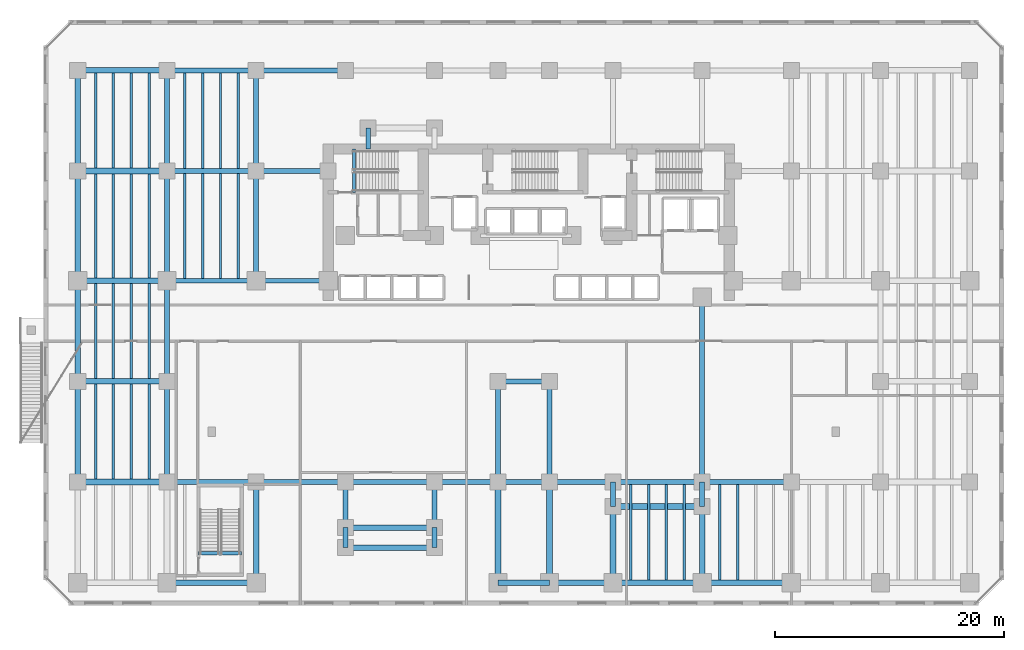
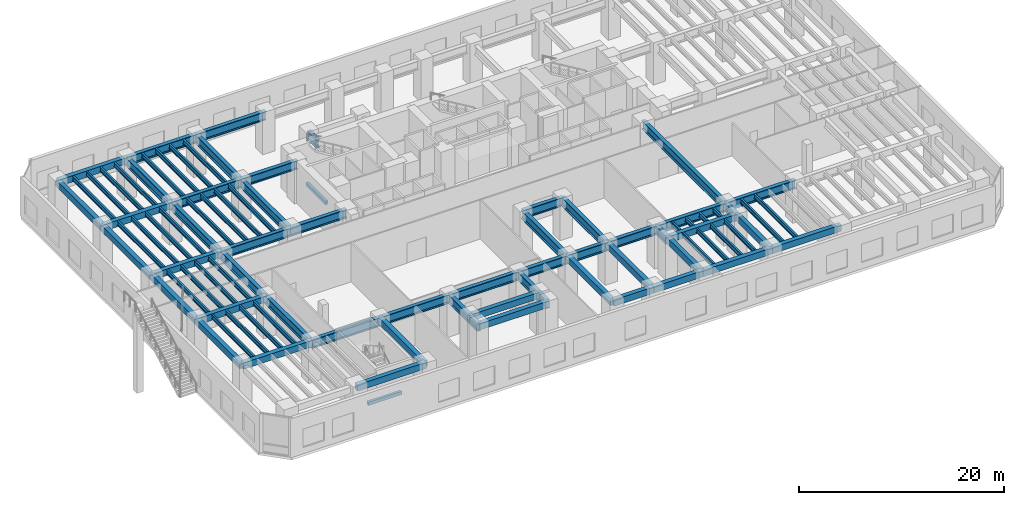
# One storey, part 3 of 19: 85 beams.
"""IFC4 building model written with IfcOpenShell, lengths in metres."""

from ifc_helpers import new_model, si_unit, direction, frame, origin, origin_2d, place, context, subcontext, project, spatial, rectangle, i_section, extrude, material, material_profile, profile_set, type_object, element, save


model = new_model("IFC4")

# Units and contexts
model_context = context("Model", 3, precision=1e-05, world=origin(), true_north=direction((0.0, 1.0)))
body_context = subcontext(model_context, "Body", "Model", "MODEL_VIEW")
ifc_project = project(units=[si_unit("LENGTHUNIT", "METRE"), si_unit("AREAUNIT", "SQUARE_METRE"), si_unit("VOLUMEUNIT", "CUBIC_METRE"), si_unit("PLANEANGLEUNIT", "RADIAN"), si_unit("MASSUNIT", "GRAM", prefix="KILO")], contexts=[model_context])

# Site, building, storey
site_placement = place(None, origin())
site = spatial("IfcSite", under=ifc_project, at=site_placement, CompositionType="ELEMENT")
building_placement = place(site_placement, origin())
building = spatial("IfcBuilding", under=site, at=building_placement, Name="Kestravale Grand Hotel", CompositionType="ELEMENT")
storey_placement = place(building_placement, frame((0.0, 0.0, 5.39990234375)))
storey = spatial("IfcBuildingStorey", under=building, at=storey_placement, Name="L01", CompositionType="ELEMENT", Elevation=5.39990234375)

# Beams
ifc_material_1 = material(Name="Steel ASTM A992 Grade 50", Category="steel")
ifc_material_profile_1 = material_profile(ifc_material_1, i_section(OverallWidth=0.2099609375, OverallDepth=0.535888671875, WebThickness=0.010986328125, FlangeThickness=0.017333984375, FilletRadius=0.017578125, at=origin_2d()))
ifc_profile_set_1 = profile_set([ifc_material_profile_1], Name="Steel ASTM A992 Grade 50")
beam_type_1 = type_object("IfcBeamType", Name="B-FLR-JST21", PredefinedType="JOIST", material=ifc_profile_set_1)
for number, where, z_axis, x_axis, name in (
    (1, (1.56005859375, 11.449951171875, 4.382080078125), (0.0, 1.0, 0.0), (-1.0, 0.0, 0.0), "L01 floor joist 1-2/C-D #1"),
    (2, (3.1201171875, 11.449951171875, 4.382080078125), (0.0, 1.0, 0.0), (-1.0, 0.0, 0.0), "L01 floor joist 1-2/C-D #2"),
    (3, (4.679931640625, 11.449951171875, 4.382080078125), (0.0, 1.0, 0.0), (-1.0, 0.0, 0.0), "L01 floor joist 1-2/C-D #3"),
    (4, (6.239990234375, 11.449951171875, 4.382080078125), (0.0, 1.0, 0.0), (-1.0, 0.0, 0.0), "L01 floor joist 1-2/C-D #4"),
    (5, (1.56005859375, 20.25, 4.382080078125), (0.0, 1.0, 0.0), (-1.0, 0.0, 0.0), "L01 floor joist 1-2/D-E #1"),
    (6, (3.1201171875, 20.25, 4.382080078125), (0.0, 1.0, 0.0), (-1.0, 0.0, 0.0), "L01 floor joist 1-2/D-E #2"),
    (7, (4.679931640625, 20.25, 4.382080078125), (0.0, 1.0, 0.0), (-1.0, 0.0, 0.0), "L01 floor joist 1-2/D-E #3"),
    (8, (6.239990234375, 20.25, 4.382080078125), (0.0, 1.0, 0.0), (-1.0, 0.0, 0.0), "L01 floor joist 1-2/D-E #4"),
):
    element("IfcBeam", number, at=place(storey_placement, frame(where, z_axis=z_axis, x_axis=x_axis)), inside=storey, type_object=beam_type_1, Name=name, PredefinedType="JOIST", context=body_context, shape_type="SweptSolid", body=[
        extrude(i_section(OverallWidth=0.2099609375, OverallDepth=0.535888671875, WebThickness=0.010986328125, FlangeThickness=0.017333984375, FilletRadius=0.017578125, at=origin_2d()), origin(), (0.0, 0.0, 1.0), 8.300048828125),
    ])
for number, where, z_axis, x_axis, name in (
    (9, (1.56005859375, 29.050048828125, 4.382080078125), (0.0, 1.0, 0.0), (-1.0, 0.0, 0.0), "L01 floor joist 1-2/E-F #1"),
    (10, (3.1201171875, 29.050048828125, 4.382080078125), (0.0, 1.0, 0.0), (-1.0, 0.0, 0.0), "L01 floor joist 1-2/E-F #2"),
    (11, (4.679931640625, 29.050048828125, 4.382080078125), (0.0, 1.0, 0.0), (-1.0, 0.0, 0.0), "L01 floor joist 1-2/E-F #3"),
    (12, (6.239990234375, 29.050048828125, 4.382080078125), (0.0, 1.0, 0.0), (-1.0, 0.0, 0.0), "L01 floor joist 1-2/E-F #4"),
):
    element("IfcBeam", number, at=place(storey_placement, frame(where, z_axis=z_axis, x_axis=x_axis)), inside=storey, type_object=beam_type_1, Name=name, PredefinedType="JOIST", context=body_context, shape_type="SweptSolid", body=[
        extrude(i_section(OverallWidth=0.2099609375, OverallDepth=0.535888671875, WebThickness=0.010986328125, FlangeThickness=0.017333984375, FilletRadius=0.017578125, at=origin_2d()), origin(), (0.0, 0.0, 1.0), 9.099853515625),
    ])
for number, where, z_axis, x_axis, name in (
    (13, (1.56005859375, 38.64990234375, 4.382080078125), (0.0, 1.0, 0.0), (-1.0, 0.0, 0.0), "L01 floor joist 1-2/F-G #1"),
    (14, (3.1201171875, 38.64990234375, 4.382080078125), (0.0, 1.0, 0.0), (-1.0, 0.0, 0.0), "L01 floor joist 1-2/F-G #2"),
    (15, (4.679931640625, 38.64990234375, 4.382080078125), (0.0, 1.0, 0.0), (-1.0, 0.0, 0.0), "L01 floor joist 1-2/F-G #3"),
    (16, (6.239990234375, 38.64990234375, 4.382080078125), (0.0, 1.0, 0.0), (-1.0, 0.0, 0.0), "L01 floor joist 1-2/F-G #4"),
):
    element("IfcBeam", number, at=place(storey_placement, frame(where, z_axis=z_axis, x_axis=x_axis)), inside=storey, type_object=beam_type_1, Name=name, PredefinedType="JOIST", context=body_context, shape_type="SweptSolid", body=[
        extrude(i_section(OverallWidth=0.2099609375, OverallDepth=0.535888671875, WebThickness=0.010986328125, FlangeThickness=0.017333984375, FilletRadius=0.017578125, at=origin_2d()), origin(), (0.0, 0.0, 1.0), 8.300048828125),
    ])
for number, where, z_axis, x_axis, name in (
    (17, (9.360107421875, 29.013427734375, 4.382080078125), (0.0, 1.0, 0.0), (-1.0, 0.0, 0.0), "L01 floor joist 2-3/E-F #1"),
    (18, (10.919921875, 29.013427734375, 4.382080078125), (0.0, 1.0, 0.0), (-1.0, 0.0, 0.0), "L01 floor joist 2-3/E-F #2"),
    (19, (12.47998046875, 29.013427734375, 4.382080078125), (0.0, 1.0, 0.0), (-1.0, 0.0, 0.0), "L01 floor joist 2-3/E-F #3"),
    (20, (14.0400390625, 29.013427734375, 4.382080078125), (0.0, 1.0, 0.0), (-1.0, 0.0, 0.0), "L01 floor joist 2-3/E-F #4"),
):
    element("IfcBeam", number, at=place(storey_placement, frame(where, z_axis=z_axis, x_axis=x_axis)), inside=storey, type_object=beam_type_1, Name=name, PredefinedType="JOIST", context=body_context, shape_type="SweptSolid", body=[
        extrude(i_section(OverallWidth=0.2099609375, OverallDepth=0.535888671875, WebThickness=0.010986328125, FlangeThickness=0.017333984375, FilletRadius=0.017578125, at=origin_2d()), origin(), (0.0, 0.0, 1.0), 9.173095703125),
    ])
for number, where, z_axis, x_axis, name in (
    (21, (9.360107421875, 38.613525390625, 4.382080078125), (0.0, 1.0, 0.0), (-1.0, 0.0, 0.0), "L01 floor joist 2-3/F-G #1"),
    (22, (10.919921875, 38.613525390625, 4.382080078125), (0.0, 1.0, 0.0), (-1.0, 0.0, 0.0), "L01 floor joist 2-3/F-G #2"),
    (23, (12.47998046875, 38.613525390625, 4.382080078125), (0.0, 1.0, 0.0), (-1.0, 0.0, 0.0), "L01 floor joist 2-3/F-G #3"),
    (24, (14.0400390625, 38.613525390625, 4.382080078125), (0.0, 1.0, 0.0), (-1.0, 0.0, 0.0), "L01 floor joist 2-3/F-G #4"),
):
    element("IfcBeam", number, at=place(storey_placement, frame(where, z_axis=z_axis, x_axis=x_axis)), inside=storey, type_object=beam_type_1, Name=name, PredefinedType="JOIST", context=body_context, shape_type="SweptSolid", body=[
        extrude(i_section(OverallWidth=0.2099609375, OverallDepth=0.535888671875, WebThickness=0.010986328125, FlangeThickness=0.017333984375, FilletRadius=0.017578125, at=origin_2d()), origin(), (0.0, 0.0, 1.0), 8.373046875),
    ])
for number, where, z_axis, x_axis, name in (
    (25, (48.360107421875, 2.64990234375, 4.382080078125), (0.0, 1.0, 0.0), (-1.0, 0.0, 0.0), "L01 floor joist 8-9/B-C #1"),
    (26, (49.919921875, 2.64990234375, 4.382080078125), (0.0, 1.0, 0.0), (-1.0, 0.0, 0.0), "L01 floor joist 8-9/B-C #2"),
    (27, (51.47998046875, 2.64990234375, 4.382080078125), (0.0, 1.0, 0.0), (-1.0, 0.0, 0.0), "L01 floor joist 8-9/B-C #3"),
    (28, (53.0400390625, 2.64990234375, 4.382080078125), (0.0, 1.0, 0.0), (-1.0, 0.0, 0.0), "L01 floor joist 8-9/B-C #4"),
    (29, (56.159912109375, 2.64990234375, 4.382080078125), (0.0, 1.0, 0.0), (-1.0, 0.0, 0.0), "L01 floor joist 9-10/B-C #1"),
    (30, (57.719970703125, 2.64990234375, 4.382080078125), (0.0, 1.0, 0.0), (-1.0, 0.0, 0.0), "L01 floor joist 9-10/B-C #2"),
):
    element("IfcBeam", number, at=place(storey_placement, frame(where, z_axis=z_axis, x_axis=x_axis)), inside=storey, type_object=beam_type_1, Name=name, PredefinedType="JOIST", context=body_context, shape_type="SweptSolid", body=[
        extrude(i_section(OverallWidth=0.2099609375, OverallDepth=0.535888671875, WebThickness=0.010986328125, FlangeThickness=0.017333984375, FilletRadius=0.017578125, at=origin_2d()), origin(), (0.0, 0.0, 1.0), 8.336669921875),
    ])
ifc_material_2 = material(Name="Concrete f'c 45 MPa", Category="concrete")
ifc_material_profile_2 = material_profile(ifc_material_2, rectangle(XDim=0.300048828125, YDim=0.39990234375, at=origin_2d()))
ifc_profile_set_2 = profile_set([ifc_material_profile_2], Name="Concrete f'c 45 MPa")
beam_type_2 = type_object("IfcBeamType", Name="B-FLR-LNT400", PredefinedType="LINTEL", material=ifc_profile_set_2)
beam_1_placement = place(storey_placement, frame((24.159912109375, 36.52001953125, -0.199951171875), z_axis=(0.0, 1.0, 0.0), x_axis=(-1.0, 0.0, 0.0)))
element("IfcBeam", 31, at=beam_1_placement, inside=storey, type_object=beam_type_2, Name="L01 ST1 flight bottom header beam", PredefinedType="LINTEL", context=body_context, shape_type="SweptSolid", body=[
    extrude(rectangle(XDim=0.300048828125, YDim=0.39990234375, at=origin_2d()), origin(), (0.0, 0.0, 1.0), 3.800048828125),
])
beam_2_placement = place(storey_placement, frame((10.56005859375, 4.9599609375, -0.199951171875), z_axis=(1.0, 0.0, 0.0), x_axis=(0.0, 1.0, 0.0)))
element("IfcBeam", 32, at=beam_2_placement, inside=storey, type_object=beam_type_2, Name="L01 ST4 flight bottom header beam", PredefinedType="LINTEL", context=body_context, shape_type="SweptSolid", body=[
    extrude(rectangle(XDim=0.300048828125, YDim=0.39990234375, at=origin_2d()), origin(), (0.0, 0.0, 1.0), 3.77001953125),
])
ifc_material_3 = material(Name="Concrete f'c 45 MPa", Category="concrete")
ifc_material_profile_3 = material_profile(ifc_material_3, rectangle(XDim=0.5, YDim=0.75, at=origin_2d()))
ifc_profile_set_3 = profile_set([ifc_material_profile_3], Name="Concrete f'c 45 MPa")
beam_type_3 = type_object("IfcBeamType", Name="B-FLR-RC750", PredefinedType="SPANDREL", material=ifc_profile_set_3)
beam_3_placement = place(storey_placement, frame((7.800048828125, 2.39990234375, 4.275146484375), z_axis=(1.0, 0.0, 0.0), x_axis=(0.0, 1.0, 0.0)))
element("IfcBeam", 33, at=beam_3_placement, inside=storey, type_object=beam_type_3, Name="L01 spandrel B:2-3", PredefinedType="SPANDREL", context=body_context, shape_type="SweptSolid", body=[
    extrude(rectangle(XDim=0.5, YDim=0.75, at=origin_2d()), origin(), (0.0, 0.0, 1.0), 7.800048828125),
])
beam_4_placement = place(storey_placement, frame((36.75, 2.39990234375, 4.275146484375), z_axis=(1.0, 0.0, 0.0), x_axis=(0.0, 1.0, 0.0)))
element("IfcBeam", 34, at=beam_4_placement, inside=storey, type_object=beam_type_3, Name="L01 spandrel B:6-7", PredefinedType="SPANDREL", context=body_context, shape_type="SweptSolid", body=[
    extrude(rectangle(XDim=0.5, YDim=0.75, at=origin_2d()), origin(), (0.0, 0.0, 1.0), 4.5),
])
beam_5_placement = place(storey_placement, frame((41.25, 2.39990234375, 4.275146484375), z_axis=(1.0, 0.0, 0.0), x_axis=(0.0, 1.0, 0.0)))
element("IfcBeam", 35, at=beam_5_placement, inside=storey, type_object=beam_type_3, Name="L01 spandrel B:7-8", PredefinedType="SPANDREL", context=body_context, shape_type="SweptSolid", body=[
    extrude(rectangle(XDim=0.5, YDim=0.75, at=origin_2d()), origin(), (0.0, 0.0, 1.0), 5.550048828125),
])
beam_6_placement = place(storey_placement, frame((46.800048828125, 2.39990234375, 4.275146484375), z_axis=(1.0, 0.0, 0.0), x_axis=(0.0, 1.0, 0.0)))
element("IfcBeam", 36, at=beam_6_placement, inside=storey, type_object=beam_type_3, Name="L01 spandrel B:8-9", PredefinedType="SPANDREL", context=body_context, shape_type="SweptSolid", body=[
    extrude(rectangle(XDim=0.5, YDim=0.75, at=origin_2d()), origin(), (0.0, 0.0, 1.0), 7.800048828125),
])
beam_7_placement = place(storey_placement, frame((54.60009765625, 2.39990234375, 4.275146484375), z_axis=(1.0, 0.0, 0.0), x_axis=(0.0, 1.0, 0.0)))
element("IfcBeam", 37, at=beam_7_placement, inside=storey, type_object=beam_type_3, Name="L01 spandrel B:9-10", PredefinedType="SPANDREL", context=body_context, shape_type="SweptSolid", body=[
    extrude(rectangle(XDim=0.5, YDim=0.75, at=origin_2d()), origin(), (0.0, 0.0, 1.0), 7.7998046875),
])
for number, where, z_axis, x_axis, name in (
    (38, (0.0, 11.199951171875, 4.275146484375), (1.0, 0.0, 0.0), (0.0, 1.0, 0.0), "L01 spandrel C:1-2"),
    (39, (0.0, 20.0, 4.275146484375), (1.0, 0.0, 0.0), (0.0, 1.0, 0.0), "L01 spandrel D:1-2"),
    (40, (0.0, 28.800048828125, 4.275146484375), (1.0, 0.0, 0.0), (0.0, 1.0, 0.0), "L01 spandrel E:1-2"),
    (41, (0.0, 38.39990234375, 4.275146484375), (1.0, 0.0, 0.0), (0.0, 1.0, 0.0), "L01 spandrel F:1-2"),
    (42, (0.0, 47.199951171875, 4.275146484375), (1.0, 0.0, 0.0), (0.0, 1.0, 0.0), "L01 spandrel G:1-2"),
    (43, (23.39990234375, 5.449951171875, 4.275146484375), (1.0, 0.0, 0.0), (0.0, 1.0, 0.0), "L01 perimeter tie spandrel B1S:4-5"),
    (44, (46.800048828125, 9.050048828125, 4.275146484375), (1.0, 0.0, 0.0), (0.0, 1.0, 0.0), "L01 perimeter tie spandrel B1E:8-9"),
    (45, (23.39990234375, 7.199951171875, 4.275146484375), (1.0, 0.0, 0.0), (0.0, 1.0, 0.0), "L01 perimeter tie spandrel BS:4-5"),
):
    element("IfcBeam", number, at=place(storey_placement, frame(where, z_axis=z_axis, x_axis=x_axis)), inside=storey, type_object=beam_type_3, Name=name, PredefinedType="SPANDREL", context=body_context, shape_type="SweptSolid", body=[
        extrude(rectangle(XDim=0.5, YDim=0.75, at=origin_2d()), origin(), (0.0, 0.0, 1.0), 7.800048828125),
    ])
for number, where, z_axis, x_axis, name in (
    (46, (0.0, 11.199951171875, 4.275146484375), (0.0, 1.0, 0.0), (-1.0, 0.0, 0.0), "L01 spandrel 1:C-D"),
    (47, (0.0, 20.0, 4.275146484375), (0.0, 1.0, 0.0), (-1.0, 0.0, 0.0), "L01 spandrel 1:D-E"),
):
    element("IfcBeam", number, at=place(storey_placement, frame(where, z_axis=z_axis, x_axis=x_axis)), inside=storey, type_object=beam_type_3, Name=name, PredefinedType="SPANDREL", context=body_context, shape_type="SweptSolid", body=[
        extrude(rectangle(XDim=0.5, YDim=0.75, at=origin_2d()), origin(), (0.0, 0.0, 1.0), 8.800048828125),
    ])
beam_8_placement = place(storey_placement, frame((0.0, 28.800048828125, 4.275146484375), z_axis=(0.0, 1.0, 0.0), x_axis=(-1.0, 0.0, 0.0)))
element("IfcBeam", 48, at=beam_8_placement, inside=storey, type_object=beam_type_3, Name="L01 spandrel 1:E-F", PredefinedType="SPANDREL", context=body_context, shape_type="SweptSolid", body=[
    extrude(rectangle(XDim=0.5, YDim=0.75, at=origin_2d()), origin(), (0.0, 0.0, 1.0), 9.599853515625),
])
for number, where, z_axis, x_axis, name in (
    (49, (0.0, 38.39990234375, 4.275146484375), (0.0, 1.0, 0.0), (-1.0, 0.0, 0.0), "L01 spandrel 1:F-G"),
    (50, (15.60009765625, 2.39990234375, 4.275146484375), (0.0, 1.0, 0.0), (-1.0, 0.0, 0.0), "L01 spandrel 3:B-C"),
    (51, (36.75, 2.39990234375, 4.275146484375), (0.0, 1.0, 0.0), (-1.0, 0.0, 0.0), "L01 spandrel 6:B-C"),
    (52, (41.25, 2.39990234375, 4.275146484375), (0.0, 1.0, 0.0), (-1.0, 0.0, 0.0), "L01 spandrel 7:B-C"),
):
    element("IfcBeam", number, at=place(storey_placement, frame(where, z_axis=z_axis, x_axis=x_axis)), inside=storey, type_object=beam_type_3, Name=name, PredefinedType="SPANDREL", context=body_context, shape_type="SweptSolid", body=[
        extrude(rectangle(XDim=0.5, YDim=0.75, at=origin_2d()), origin(), (0.0, 0.0, 1.0), 8.800048828125),
    ])
for number, where, z_axis, x_axis, name in (
    (53, (46.800048828125, 2.39990234375, 4.275146484375), (0.0, 1.0, 0.0), (-1.0, 0.0, 0.0), "L01 spandrel 8:B-B1E"),
    (54, (54.60009765625, 2.39990234375, 4.275146484375), (0.0, 1.0, 0.0), (-1.0, 0.0, 0.0), "L01 spandrel 9:B-B1E"),
):
    element("IfcBeam", number, at=place(storey_placement, frame(where, z_axis=z_axis, x_axis=x_axis)), inside=storey, type_object=beam_type_3, Name=name, PredefinedType="SPANDREL", context=body_context, shape_type="SweptSolid", body=[
        extrude(rectangle(XDim=0.5, YDim=0.75, at=origin_2d()), origin(), (0.0, 0.0, 1.0), 6.650146484375),
    ])
ifc_material_4 = material(Name="Steel ASTM A992 Grade 50", Category="steel")
ifc_material_profile_4 = material_profile(ifc_material_4, i_section(OverallWidth=0.427001953125, OverallDepth=1.0400390625, WebThickness=0.031005859375, FlangeThickness=0.055908203125, FilletRadius=0.028076171875, at=origin_2d()))
ifc_profile_set_4 = profile_set([ifc_material_profile_4], Name="Steel ASTM A992 Grade 50")
beam_type_4 = type_object("IfcBeamType", Name="B-GRD-W40", PredefinedType="BEAM", material=ifc_profile_set_4)
beam_9_placement = place(storey_placement, frame((7.800048828125, 11.199951171875, 4.130126953125), z_axis=(1.0, 0.0, 0.0), x_axis=(0.0, 1.0, 0.0)))
element("IfcBeam", 55, at=beam_9_placement, inside=storey, type_object=beam_type_4, Name="L01 girder C:2-3", PredefinedType="BEAM", context=body_context, shape_type="SweptSolid", body=[
    extrude(i_section(OverallWidth=0.427001953125, OverallDepth=1.0400390625, WebThickness=0.031005859375, FlangeThickness=0.055908203125, FilletRadius=0.028076171875, at=origin_2d()), origin(), (0.0, 0.0, 1.0), 7.800048828125),
])
beam_10_placement = place(storey_placement, frame((15.60009765625, 11.199951171875, 4.130126953125), z_axis=(1.0, 0.0, 0.0), x_axis=(0.0, 1.0, 0.0)))
element("IfcBeam", 56, at=beam_10_placement, inside=storey, type_object=beam_type_4, Name="L01 girder C:3-4", PredefinedType="BEAM", context=body_context, shape_type="SweptSolid", body=[
    extrude(i_section(OverallWidth=0.427001953125, OverallDepth=1.0400390625, WebThickness=0.031005859375, FlangeThickness=0.055908203125, FilletRadius=0.028076171875, at=origin_2d()), origin(), (0.0, 0.0, 1.0), 7.7998046875),
])
beam_11_placement = place(storey_placement, frame((23.39990234375, 11.199951171875, 4.130126953125), z_axis=(1.0, 0.0, 0.0), x_axis=(0.0, 1.0, 0.0)))
element("IfcBeam", 57, at=beam_11_placement, inside=storey, type_object=beam_type_4, Name="L01 girder C:4-5", PredefinedType="BEAM", context=body_context, shape_type="SweptSolid", body=[
    extrude(i_section(OverallWidth=0.427001953125, OverallDepth=1.0400390625, WebThickness=0.031005859375, FlangeThickness=0.055908203125, FilletRadius=0.028076171875, at=origin_2d()), origin(), (0.0, 0.0, 1.0), 7.800048828125),
])
beam_12_placement = place(storey_placement, frame((31.199951171875, 11.199951171875, 4.130126953125), z_axis=(1.0, 0.0, 0.0), x_axis=(0.0, 1.0, 0.0)))
element("IfcBeam", 58, at=beam_12_placement, inside=storey, type_object=beam_type_4, Name="L01 girder C:5-6", PredefinedType="BEAM", context=body_context, shape_type="SweptSolid", body=[
    extrude(i_section(OverallWidth=0.427001953125, OverallDepth=1.0400390625, WebThickness=0.031005859375, FlangeThickness=0.055908203125, FilletRadius=0.028076171875, at=origin_2d()), origin(), (0.0, 0.0, 1.0), 5.550048828125),
])
beam_13_placement = place(storey_placement, frame((36.75, 11.199951171875, 4.130126953125), z_axis=(1.0, 0.0, 0.0), x_axis=(0.0, 1.0, 0.0)))
element("IfcBeam", 59, at=beam_13_placement, inside=storey, type_object=beam_type_4, Name="L01 girder C:6-7", PredefinedType="BEAM", context=body_context, shape_type="SweptSolid", body=[
    extrude(i_section(OverallWidth=0.427001953125, OverallDepth=1.0400390625, WebThickness=0.031005859375, FlangeThickness=0.055908203125, FilletRadius=0.028076171875, at=origin_2d()), origin(), (0.0, 0.0, 1.0), 4.5),
])
beam_14_placement = place(storey_placement, frame((41.25, 11.199951171875, 4.130126953125), z_axis=(1.0, 0.0, 0.0), x_axis=(0.0, 1.0, 0.0)))
element("IfcBeam", 60, at=beam_14_placement, inside=storey, type_object=beam_type_4, Name="L01 girder C:7-8", PredefinedType="BEAM", context=body_context, shape_type="SweptSolid", body=[
    extrude(i_section(OverallWidth=0.427001953125, OverallDepth=1.0400390625, WebThickness=0.031005859375, FlangeThickness=0.055908203125, FilletRadius=0.028076171875, at=origin_2d()), origin(), (0.0, 0.0, 1.0), 5.550048828125),
])
beam_15_placement = place(storey_placement, frame((46.800048828125, 11.199951171875, 4.130126953125), z_axis=(1.0, 0.0, 0.0), x_axis=(0.0, 1.0, 0.0)))
element("IfcBeam", 61, at=beam_15_placement, inside=storey, type_object=beam_type_4, Name="L01 girder C:8-9", PredefinedType="BEAM", context=body_context, shape_type="SweptSolid", body=[
    extrude(i_section(OverallWidth=0.427001953125, OverallDepth=1.0400390625, WebThickness=0.031005859375, FlangeThickness=0.055908203125, FilletRadius=0.028076171875, at=origin_2d()), origin(), (0.0, 0.0, 1.0), 7.800048828125),
])
beam_16_placement = place(storey_placement, frame((54.60009765625, 11.199951171875, 4.130126953125), z_axis=(1.0, 0.0, 0.0), x_axis=(0.0, 1.0, 0.0)))
element("IfcBeam", 62, at=beam_16_placement, inside=storey, type_object=beam_type_4, Name="L01 girder C:9-10", PredefinedType="BEAM", context=body_context, shape_type="SweptSolid", body=[
    extrude(i_section(OverallWidth=0.427001953125, OverallDepth=1.0400390625, WebThickness=0.031005859375, FlangeThickness=0.055908203125, FilletRadius=0.028076171875, at=origin_2d()), origin(), (0.0, 0.0, 1.0), 7.7998046875),
])
beam_17_placement = place(storey_placement, frame((36.75, 20.0, 4.130126953125), z_axis=(1.0, 0.0, 0.0), x_axis=(0.0, 1.0, 0.0)))
element("IfcBeam", 63, at=beam_17_placement, inside=storey, type_object=beam_type_4, Name="L01 girder D:6-7", PredefinedType="BEAM", context=body_context, shape_type="SweptSolid", body=[
    extrude(i_section(OverallWidth=0.427001953125, OverallDepth=1.0400390625, WebThickness=0.031005859375, FlangeThickness=0.055908203125, FilletRadius=0.028076171875, at=origin_2d()), origin(), (0.0, 0.0, 1.0), 4.5),
])
beam_18_placement = place(storey_placement, frame((7.800048828125, 28.800048828125, 4.130126953125), z_axis=(1.0, 0.0, 0.0), x_axis=(0.0, 1.0, 0.0)))
element("IfcBeam", 64, at=beam_18_placement, inside=storey, type_object=beam_type_4, Name="L01 girder E:2-3", PredefinedType="BEAM", context=body_context, shape_type="SweptSolid", body=[
    extrude(i_section(OverallWidth=0.427001953125, OverallDepth=1.0400390625, WebThickness=0.031005859375, FlangeThickness=0.055908203125, FilletRadius=0.028076171875, at=origin_2d()), origin(), (0.0, 0.0, 1.0), 7.800048828125),
])
beam_19_placement = place(storey_placement, frame((15.60009765625, 28.800048828125, 4.130126953125), z_axis=(1.0, 0.0, 0.0), x_axis=(0.0, 1.0, 0.0)))
element("IfcBeam", 65, at=beam_19_placement, inside=storey, type_object=beam_type_4, Name="L01 girder E:3-CW", PredefinedType="BEAM", context=body_context, shape_type="SweptSolid", body=[
    extrude(i_section(OverallWidth=0.427001953125, OverallDepth=1.0400390625, WebThickness=0.031005859375, FlangeThickness=0.055908203125, FilletRadius=0.028076171875, at=origin_2d()), origin(), (0.0, 0.0, 1.0), 6.2998046875),
])
beam_20_placement = place(storey_placement, frame((7.800048828125, 38.39990234375, 4.130126953125), z_axis=(1.0, 0.0, 0.0), x_axis=(0.0, 1.0, 0.0)))
element("IfcBeam", 66, at=beam_20_placement, inside=storey, type_object=beam_type_4, Name="L01 girder F:2-3", PredefinedType="BEAM", context=body_context, shape_type="SweptSolid", body=[
    extrude(i_section(OverallWidth=0.427001953125, OverallDepth=1.0400390625, WebThickness=0.031005859375, FlangeThickness=0.055908203125, FilletRadius=0.028076171875, at=origin_2d()), origin(), (0.0, 0.0, 1.0), 7.800048828125),
])
beam_21_placement = place(storey_placement, frame((15.60009765625, 38.39990234375, 4.130126953125), z_axis=(1.0, 0.0, 0.0), x_axis=(0.0, 1.0, 0.0)))
element("IfcBeam", 67, at=beam_21_placement, inside=storey, type_object=beam_type_4, Name="L01 girder F:3-CW", PredefinedType="BEAM", context=body_context, shape_type="SweptSolid", body=[
    extrude(i_section(OverallWidth=0.427001953125, OverallDepth=1.0400390625, WebThickness=0.031005859375, FlangeThickness=0.055908203125, FilletRadius=0.028076171875, at=origin_2d()), origin(), (0.0, 0.0, 1.0), 6.2998046875),
])
beam_22_placement = place(storey_placement, frame((7.800048828125, 47.199951171875, 4.130126953125), z_axis=(1.0, 0.0, 0.0), x_axis=(0.0, 1.0, 0.0)))
element("IfcBeam", 68, at=beam_22_placement, inside=storey, type_object=beam_type_4, Name="L01 girder G:2-3", PredefinedType="BEAM", context=body_context, shape_type="SweptSolid", body=[
    extrude(i_section(OverallWidth=0.427001953125, OverallDepth=1.0400390625, WebThickness=0.031005859375, FlangeThickness=0.055908203125, FilletRadius=0.028076171875, at=origin_2d()), origin(), (0.0, 0.0, 1.0), 7.800048828125),
])
beam_23_placement = place(storey_placement, frame((15.60009765625, 47.199951171875, 4.130126953125), z_axis=(1.0, 0.0, 0.0), x_axis=(0.0, 1.0, 0.0)))
element("IfcBeam", 69, at=beam_23_placement, inside=storey, type_object=beam_type_4, Name="L01 girder G:3-4", PredefinedType="BEAM", context=body_context, shape_type="SweptSolid", body=[
    extrude(i_section(OverallWidth=0.427001953125, OverallDepth=1.0400390625, WebThickness=0.031005859375, FlangeThickness=0.055908203125, FilletRadius=0.028076171875, at=origin_2d()), origin(), (0.0, 0.0, 1.0), 7.7998046875),
])
for number, where, z_axis, x_axis, name in (
    (70, (7.800048828125, 11.199951171875, 4.130126953125), (0.0, 1.0, 0.0), (-1.0, 0.0, 0.0), "L01 girder 2:C-D"),
    (71, (7.800048828125, 20.0, 4.130126953125), (0.0, 1.0, 0.0), (-1.0, 0.0, 0.0), "L01 girder 2:D-E"),
):
    element("IfcBeam", number, at=place(storey_placement, frame(where, z_axis=z_axis, x_axis=x_axis)), inside=storey, type_object=beam_type_4, Name=name, PredefinedType="BEAM", context=body_context, shape_type="SweptSolid", body=[
        extrude(i_section(OverallWidth=0.427001953125, OverallDepth=1.0400390625, WebThickness=0.031005859375, FlangeThickness=0.055908203125, FilletRadius=0.028076171875, at=origin_2d()), origin(), (0.0, 0.0, 1.0), 8.800048828125),
    ])
beam_24_placement = place(storey_placement, frame((7.800048828125, 28.800048828125, 4.130126953125), z_axis=(0.0, 1.0, 0.0), x_axis=(-1.0, 0.0, 0.0)))
element("IfcBeam", 72, at=beam_24_placement, inside=storey, type_object=beam_type_4, Name="L01 girder 2:E-F", PredefinedType="BEAM", context=body_context, shape_type="SweptSolid", body=[
    extrude(i_section(OverallWidth=0.427001953125, OverallDepth=1.0400390625, WebThickness=0.031005859375, FlangeThickness=0.055908203125, FilletRadius=0.028076171875, at=origin_2d()), origin(), (0.0, 0.0, 1.0), 9.599853515625),
])
beam_25_placement = place(storey_placement, frame((7.800048828125, 38.39990234375, 4.130126953125), z_axis=(0.0, 1.0, 0.0), x_axis=(-1.0, 0.0, 0.0)))
element("IfcBeam", 73, at=beam_25_placement, inside=storey, type_object=beam_type_4, Name="L01 girder 2:F-G", PredefinedType="BEAM", context=body_context, shape_type="SweptSolid", body=[
    extrude(i_section(OverallWidth=0.427001953125, OverallDepth=1.0400390625, WebThickness=0.031005859375, FlangeThickness=0.055908203125, FilletRadius=0.028076171875, at=origin_2d()), origin(), (0.0, 0.0, 1.0), 8.800048828125),
])
beam_26_placement = place(storey_placement, frame((15.60009765625, 28.800048828125, 4.130126953125), z_axis=(0.0, 1.0, 0.0), x_axis=(-1.0, 0.0, 0.0)))
element("IfcBeam", 74, at=beam_26_placement, inside=storey, type_object=beam_type_4, Name="L01 girder 3:E-F", PredefinedType="BEAM", context=body_context, shape_type="SweptSolid", body=[
    extrude(i_section(OverallWidth=0.427001953125, OverallDepth=1.0400390625, WebThickness=0.031005859375, FlangeThickness=0.055908203125, FilletRadius=0.028076171875, at=origin_2d()), origin(), (0.0, 0.0, 1.0), 9.599853515625),
])
beam_27_placement = place(storey_placement, frame((15.60009765625, 38.39990234375, 4.130126953125), z_axis=(0.0, 1.0, 0.0), x_axis=(-1.0, 0.0, 0.0)))
element("IfcBeam", 75, at=beam_27_placement, inside=storey, type_object=beam_type_4, Name="L01 girder 3:F-G", PredefinedType="BEAM", context=body_context, shape_type="SweptSolid", body=[
    extrude(i_section(OverallWidth=0.427001953125, OverallDepth=1.0400390625, WebThickness=0.031005859375, FlangeThickness=0.055908203125, FilletRadius=0.028076171875, at=origin_2d()), origin(), (0.0, 0.0, 1.0), 8.800048828125),
])
beam_28_placement = place(storey_placement, frame((23.39990234375, 5.449951171875, 4.130126953125), z_axis=(0.0, 1.0, 0.0), x_axis=(-1.0, 0.0, 0.0)))
element("IfcBeam", 76, at=beam_28_placement, inside=storey, type_object=beam_type_4, Name="L01 girder 4:B1S-BS", PredefinedType="BEAM", context=body_context, shape_type="SweptSolid", body=[
    extrude(i_section(OverallWidth=0.427001953125, OverallDepth=1.0400390625, WebThickness=0.031005859375, FlangeThickness=0.055908203125, FilletRadius=0.028076171875, at=origin_2d()), origin(), (0.0, 0.0, 1.0), 1.75),
])
beam_29_placement = place(storey_placement, frame((23.39990234375, 7.199951171875, 4.130126953125), z_axis=(0.0, 1.0, 0.0), x_axis=(-1.0, 0.0, 0.0)))
element("IfcBeam", 77, at=beam_29_placement, inside=storey, type_object=beam_type_4, Name="L01 girder 4:BS-C", PredefinedType="BEAM", context=body_context, shape_type="SweptSolid", body=[
    extrude(i_section(OverallWidth=0.427001953125, OverallDepth=1.0400390625, WebThickness=0.031005859375, FlangeThickness=0.055908203125, FilletRadius=0.028076171875, at=origin_2d()), origin(), (0.0, 0.0, 1.0), 4.0),
])
beam_30_placement = place(storey_placement, frame((31.199951171875, 5.449951171875, 4.130126953125), z_axis=(0.0, 1.0, 0.0), x_axis=(-1.0, 0.0, 0.0)))
element("IfcBeam", 78, at=beam_30_placement, inside=storey, type_object=beam_type_4, Name="L01 girder 5:B1S-BS", PredefinedType="BEAM", context=body_context, shape_type="SweptSolid", body=[
    extrude(i_section(OverallWidth=0.427001953125, OverallDepth=1.0400390625, WebThickness=0.031005859375, FlangeThickness=0.055908203125, FilletRadius=0.028076171875, at=origin_2d()), origin(), (0.0, 0.0, 1.0), 1.75),
])
beam_31_placement = place(storey_placement, frame((31.199951171875, 7.199951171875, 4.130126953125), z_axis=(0.0, 1.0, 0.0), x_axis=(-1.0, 0.0, 0.0)))
element("IfcBeam", 79, at=beam_31_placement, inside=storey, type_object=beam_type_4, Name="L01 girder 5:BS-C", PredefinedType="BEAM", context=body_context, shape_type="SweptSolid", body=[
    extrude(i_section(OverallWidth=0.427001953125, OverallDepth=1.0400390625, WebThickness=0.031005859375, FlangeThickness=0.055908203125, FilletRadius=0.028076171875, at=origin_2d()), origin(), (0.0, 0.0, 1.0), 4.0),
])
for number, where, z_axis, x_axis, name in (
    (80, (36.75, 11.199951171875, 4.130126953125), (0.0, 1.0, 0.0), (-1.0, 0.0, 0.0), "L01 girder 6:C-D"),
    (81, (41.25, 11.199951171875, 4.130126953125), (0.0, 1.0, 0.0), (-1.0, 0.0, 0.0), "L01 girder 7:C-D"),
):
    element("IfcBeam", number, at=place(storey_placement, frame(where, z_axis=z_axis, x_axis=x_axis)), inside=storey, type_object=beam_type_4, Name=name, PredefinedType="BEAM", context=body_context, shape_type="SweptSolid", body=[
        extrude(i_section(OverallWidth=0.427001953125, OverallDepth=1.0400390625, WebThickness=0.031005859375, FlangeThickness=0.055908203125, FilletRadius=0.028076171875, at=origin_2d()), origin(), (0.0, 0.0, 1.0), 8.800048828125),
    ])
for number, where, z_axis, x_axis, name in (
    (82, (46.800048828125, 9.050048828125, 4.130126953125), (0.0, 1.0, 0.0), (-1.0, 0.0, 0.0), "L01 girder 8:B1E-C"),
    (83, (54.60009765625, 9.050048828125, 4.130126953125), (0.0, 1.0, 0.0), (-1.0, 0.0, 0.0), "L01 girder 9:B1E-C"),
):
    element("IfcBeam", number, at=place(storey_placement, frame(where, z_axis=z_axis, x_axis=x_axis)), inside=storey, type_object=beam_type_4, Name=name, PredefinedType="BEAM", context=body_context, shape_type="SweptSolid", body=[
        extrude(i_section(OverallWidth=0.427001953125, OverallDepth=1.0400390625, WebThickness=0.031005859375, FlangeThickness=0.055908203125, FilletRadius=0.028076171875, at=origin_2d()), origin(), (0.0, 0.0, 1.0), 2.14990234375),
    ])
beam_32_placement = place(storey_placement, frame((54.60009765625, 11.199951171875, 4.130126953125), z_axis=(0.0, 1.0, 0.0), x_axis=(-1.0, 0.0, 0.0)))
element("IfcBeam", 84, at=beam_32_placement, inside=storey, type_object=beam_type_4, Name="L01 girder 9:C-CS", PredefinedType="BEAM", context=body_context, shape_type="SweptSolid", body=[
    extrude(i_section(OverallWidth=0.427001953125, OverallDepth=1.0400390625, WebThickness=0.031005859375, FlangeThickness=0.055908203125, FilletRadius=0.028076171875, at=origin_2d()), origin(), (0.0, 0.0, 1.0), 16.150146484375),
])
beam_33_placement = place(storey_placement, frame((25.39990234375, 40.320068359375, 4.130126953125), z_axis=(0.0, 1.0, 0.0), x_axis=(-1.0, 0.0, 0.0)))
element("IfcBeam", 85, at=beam_33_placement, inside=storey, type_object=beam_type_4, Name="L01 north wing tie girder 4:CN-FN", PredefinedType="BEAM", context=body_context, shape_type="SweptSolid", body=[
    extrude(i_section(OverallWidth=0.427001953125, OverallDepth=1.0400390625, WebThickness=0.031005859375, FlangeThickness=0.055908203125, FilletRadius=0.028076171875, at=origin_2d()), origin(), (0.0, 0.0, 1.0), 1.829833984375),
])

save(model, "model.ifc")
